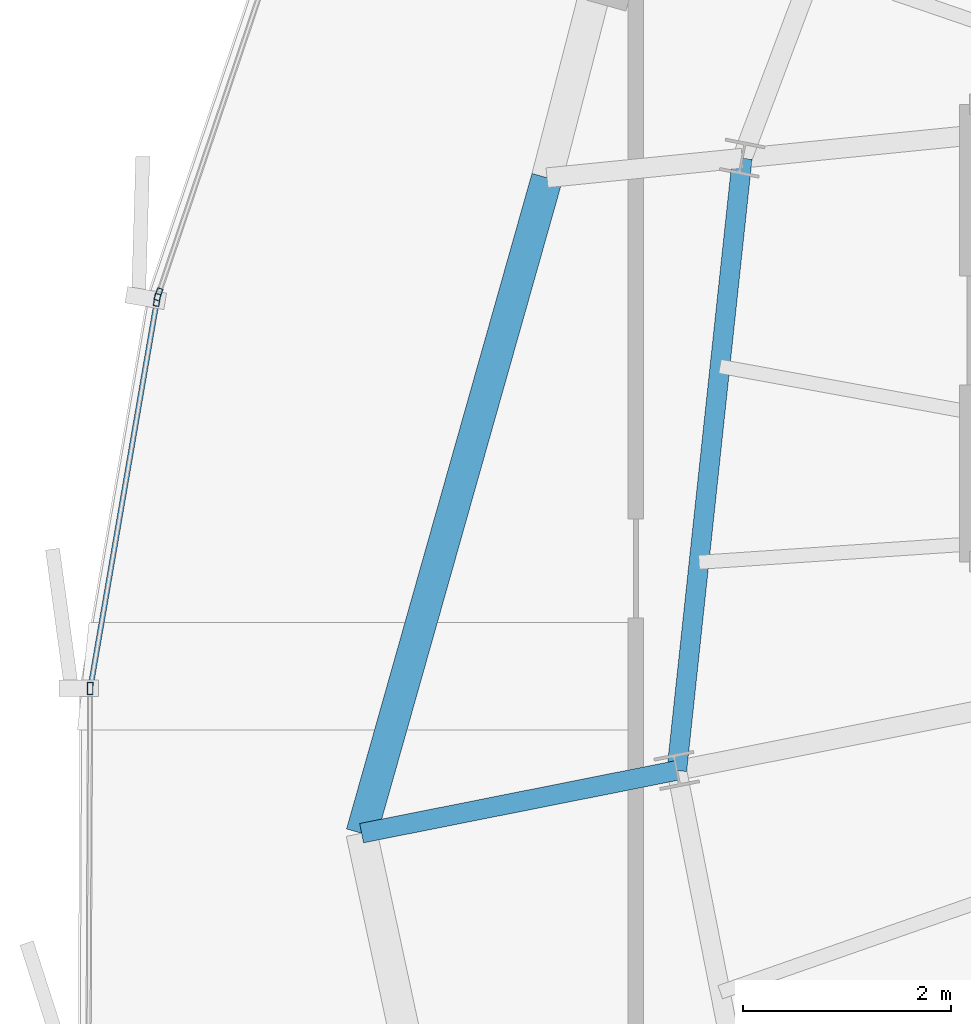
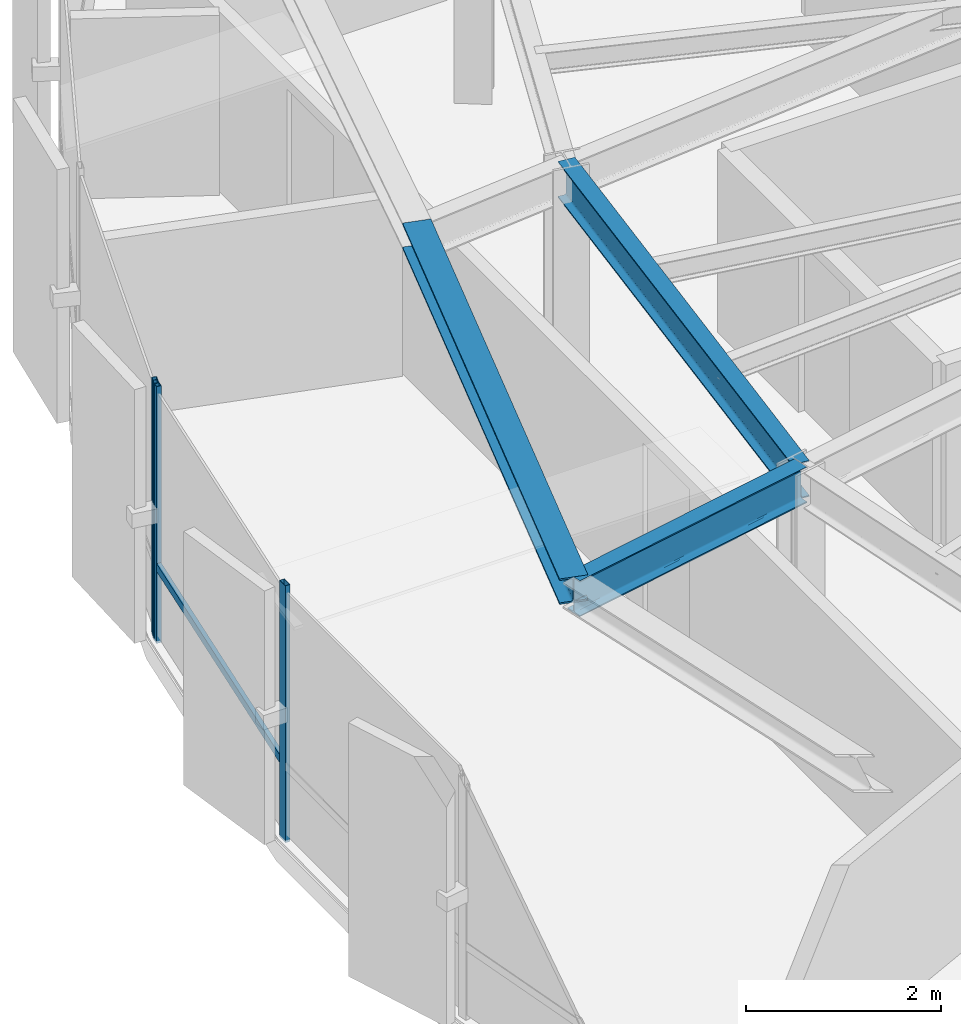
# One storey, part 9 of 33: 4 members, 3 beams, 2 elements without a shape of their own.
"""IFC4 building model written with IfcOpenShell, lengths in metres."""

from ifc_helpers import new_model, si_unit, direction, frame, origin, origin_2d, place, context, subcontext, project, spatial, hollow_rectangle, i_section, extrude, source, transform, mapped, material, layer, layer_set, material_profile, profile_set, type_object, element, aggregate, save


model = new_model("IFC4")

# Units and contexts
model_context = context("Model", 3, precision=1e-05, world=origin(), true_north=direction((0.0, 1.0)))
body_context = subcontext(model_context, "Body", "Model", "MODEL_VIEW")
ifc_project = project(units=[si_unit("LENGTHUNIT", "METRE"), si_unit("AREAUNIT", "SQUARE_METRE"), si_unit("VOLUMEUNIT", "CUBIC_METRE"), si_unit("PLANEANGLEUNIT", "RADIAN"), si_unit("MASSUNIT", "GRAM", prefix="KILO"), si_unit("THERMODYNAMICTEMPERATUREUNIT", "KELVIN")], contexts=[model_context])

# Site, building, storey
site_placement = place(None, origin())
site = spatial("IfcSite", under=ifc_project, at=site_placement, CompositionType="ELEMENT")
building_placement = place(site_placement, origin())
building = spatial("IfcBuilding", under=site, at=building_placement, Name="Kethvar Cultural Tower", CompositionType="ELEMENT")
storey_placement = place(building_placement, frame((0.0, 0.0, 238.75)))
storey = spatial("IfcBuildingStorey", under=building, at=storey_placement, Name="L62", CompositionType="ELEMENT", Elevation=238.75)

# Beams
ifc_material_1 = material(Name="Steel S355J2", Category="steel")
ifc_material_profile_1 = material_profile(ifc_material_1, i_section(OverallWidth=0.18994140625, OverallDepth=0.449951171875, WebThickness=0.009521484375, FlangeThickness=0.0146484375, FilletRadius=0.02099609375, at=origin_2d()), Name="Steel S355J2 — IPE450")
ifc_profile_set_1 = profile_set([ifc_material_profile_1], Name="Steel S355J2 — IPE450")
beam_type_1 = type_object("IfcBeamType", Name="BM-IPE450", PredefinedType="BEAM", material=ifc_profile_set_1)
shared_shape_1 = source(origin(), body_context, "Body", "SweptSolid", [
    extrude(i_section(OverallWidth=0.18994140625, OverallDepth=0.449951171875, WebThickness=0.009521484375, FlangeThickness=0.0146484375, FilletRadius=0.02099609375, at=origin_2d()), origin(), (0.0, 0.0, 1.0), 5.92236328125),
])
beam_1_placement = place(storey_placement, frame((32.3125, 30.681884765625, 2.98291015625), z_axis=(-0.106272578913, -0.994337034899, 0.0), x_axis=(0.994337034899, -0.106272578913, 0.0)))
element("IfcBeam", 1, at=beam_1_placement, inside=storey, type_object=beam_type_1, Name="L62 Column Ring Tie Beam CR-08", PredefinedType="BEAM", context=body_context, shape_type="MappedRepresentation", body=[
    mapped(shared_shape_1, transform((0.0, 0.0, 0.0), scale=1.0)),
])
shared_shape_2 = source(origin(), body_context, "Body", "SweptSolid", [
    extrude(i_section(OverallWidth=0.18994140625, OverallDepth=0.449951171875, WebThickness=0.009521484375, FlangeThickness=0.0146484375, FilletRadius=0.02099609375, at=origin_2d()), origin(), (0.0, 0.0, 1.0), 3.09130859375),
])
beam_2_placement = place(storey_placement, frame((31.68310546875, 24.79296875, 2.98291015625), z_axis=(-0.980789703055, -0.195068086524, 0.0), x_axis=(0.195068086524, -0.980789703055, 0.0)))
element("IfcBeam", 2, at=beam_2_placement, inside=storey, type_object=beam_type_1, Name="L62 Perimeter Cantilever Beam RC-09", PredefinedType="BEAM", context=body_context, shape_type="MappedRepresentation", body=[
    mapped(shared_shape_2, transform((0.0, 0.0, 0.0), scale=1.0)),
])
ifc_material_profile_2 = material_profile(ifc_material_1, i_section(OverallWidth=0.300048828125, OverallDepth=0.320068359375, WebThickness=0.011474609375, FlangeThickness=0.0205078125, FilletRadius=0.027099609375, at=origin_2d()), Name="Steel S355J2 — HEB320")
ifc_profile_set_2 = profile_set([ifc_material_profile_2], Name="Steel S355J2 — HEB320")
beam_type_2 = type_object("IfcBeamType", Name="BM-SP320", PredefinedType="SPANDREL", material=ifc_profile_set_2)
shared_shape_3 = source(origin(), body_context, "Body", "SweptSolid", [
    extrude(i_section(OverallWidth=0.300048828125, OverallDepth=0.320068359375, WebThickness=0.011474609375, FlangeThickness=0.0205078125, FilletRadius=0.027099609375, at=origin_2d()), origin(), (0.0, 0.0, 1.0), 6.5517578125),
])
beam_3_placement = place(storey_placement, frame((30.434814453125, 30.494140625, 3.048095703125), z_axis=(-0.272249558588, -0.962226676958, 0.0), x_axis=(0.962226676958, -0.272249558588, 0.0)))
element("IfcBeam", 3, at=beam_3_placement, inside=storey, type_object=beam_type_2, Name="L62 Perimeter Spandrel Beam SP-08", PredefinedType="SPANDREL", context=body_context, shape_type="MappedRepresentation", body=[
    mapped(shared_shape_3, transform((0.0, 0.0, 0.0), scale=1.0)),
])

# Curtain wall, member
ifc_material_2 = material(Name="Aluminium 6063-T6", Category="aluminium")
ifc_layer = layer(ifc_material_2, 0.179931640625, Name="Aluminium 6063-T6", Category="aluminium")
ifc_layer_set = layer_set([ifc_layer], Name="Aluminium 6063-T6 (180 mm)")
curtain_wall_type = type_object("IfcCurtainWallType", Name="CW-SYS-05-Z56", PredefinedType="NOTDEFINED", material=ifc_layer_set)
curtain_wall_1_placement = place(storey_placement, origin())
curtain_wall_1 = element("IfcCurtainWall", 4, at=curtain_wall_1_placement, inside=storey, type_object=curtain_wall_type, Name="L62 Curtain Wall Run 02", PredefinedType="NOTDEFINED")
ifc_material_profile_3 = material_profile(ifc_material_2, hollow_rectangle(XDim=0.054931640625, YDim=0.1201171875, WallThickness=0.00390625, at=origin_2d()), Name="Aluminium 6063-T6 — RHS120x55x4")
ifc_profile_set_3 = profile_set([ifc_material_profile_3], Name="Aluminium 6063-T6 — RHS120x55x4")
member_type_1 = type_object("IfcMemberType", Name="CW-SYS-05-Z56-MUL", PredefinedType="MULLION", material=ifc_profile_set_3)
shared_shape_4 = source(origin(), body_context, "Body", "SweptSolid", [
    extrude(hollow_rectangle(XDim=0.054931640625, YDim=0.1201171875, WallThickness=0.00390625, at=origin_2d()), origin(), (0.0, 0.0, 1.0), 3.2099609375),
])
member_1_placement = place(storey_placement, frame((26.697509765625, 29.372314453125, 0.0), z_axis=(0.0, 0.0, 1.0), x_axis=(0.94732772492, -0.320265798359, 0.0)))
member_1 = element("IfcMember", 5, at=member_1_placement, type_object=member_type_1, Name="CW-L62-R02 Mullion 7", PredefinedType="MULLION", context=body_context, shape_type="MappedRepresentation", body=[
    mapped(shared_shape_4, transform((0.0, 0.0, 0.0), scale=1.0)),
])
aggregate(curtain_wall_1, [member_1])

# Curtain wall, members
curtain_wall_2_placement = place(storey_placement, origin())
curtain_wall_2 = element("IfcCurtainWall", 6, at=curtain_wall_2_placement, inside=storey, type_object=curtain_wall_type, Name="L62 Curtain Wall Run 03", PredefinedType="NOTDEFINED")
member_2_placement = place(storey_placement, frame((26.683837890625, 29.318359375, 0.0), z_axis=(0.0, 0.0, 1.0), x_axis=(0.985570833837, -0.169263497213, 0.0)))
member_2 = element("IfcMember", 7, at=member_2_placement, type_object=member_type_1, Name="CW-L62-R03 Mullion 1", PredefinedType="MULLION", context=body_context, shape_type="MappedRepresentation", body=[
    mapped(shared_shape_4, transform((0.0, 0.0, 0.0), scale=1.0)),
])
member_3_placement = place(storey_placement, frame((26.040771484375, 25.58251953125, 0.0), z_axis=(0.0, 0.0, 1.0), x_axis=(0.999990018313, -0.004468028019, 0.0)))
member_3 = element("IfcMember", 8, at=member_3_placement, type_object=member_type_1, Name="CW-L62-R03 Mullion 2", PredefinedType="MULLION", context=body_context, shape_type="MappedRepresentation", body=[
    mapped(shared_shape_4, transform((0.0, 0.0, 0.0), scale=1.0)),
])
ifc_material_profile_4 = material_profile(ifc_material_2, hollow_rectangle(XDim=0.050048828125, YDim=0.10009765625, WallThickness=0.00390625, at=origin_2d()), Name="Aluminium 6063-T6 — RHS100x50x4")
ifc_profile_set_4 = profile_set([ifc_material_profile_4], Name="Aluminium 6063-T6 — RHS100x50x4")
member_type_2 = type_object("IfcMemberType", Name="CW-SYS-05-Z56-TRN", PredefinedType="USERDEFINED", material=ifc_profile_set_4)
shared_shape_5 = source(origin(), body_context, "Body", "SweptSolid", [
    extrude(hollow_rectangle(XDim=0.050048828125, YDim=0.10009765625, WallThickness=0.00390625, at=origin_2d()), origin(), (0.0, 0.0, 1.0), 3.763671875),
])
member_4_placement = place(storey_placement, frame((26.68310546875, 29.314453125, 0.949951171875), z_axis=(-0.169235670198, -0.985575612489, 0.0), x_axis=(0.985575612489, -0.169235670198, 0.0)))
member_4 = element("IfcMember", 9, at=member_4_placement, type_object=member_type_2, Name="CW-L62-R03 Transom 1", ObjectType="TRANSOM", PredefinedType="USERDEFINED", context=body_context, shape_type="MappedRepresentation", body=[
    mapped(shared_shape_5, transform((0.0, 0.0, 0.0), scale=1.0)),
])
aggregate(curtain_wall_2, [member_2, member_3, member_4])

save(model, "model.ifc")
